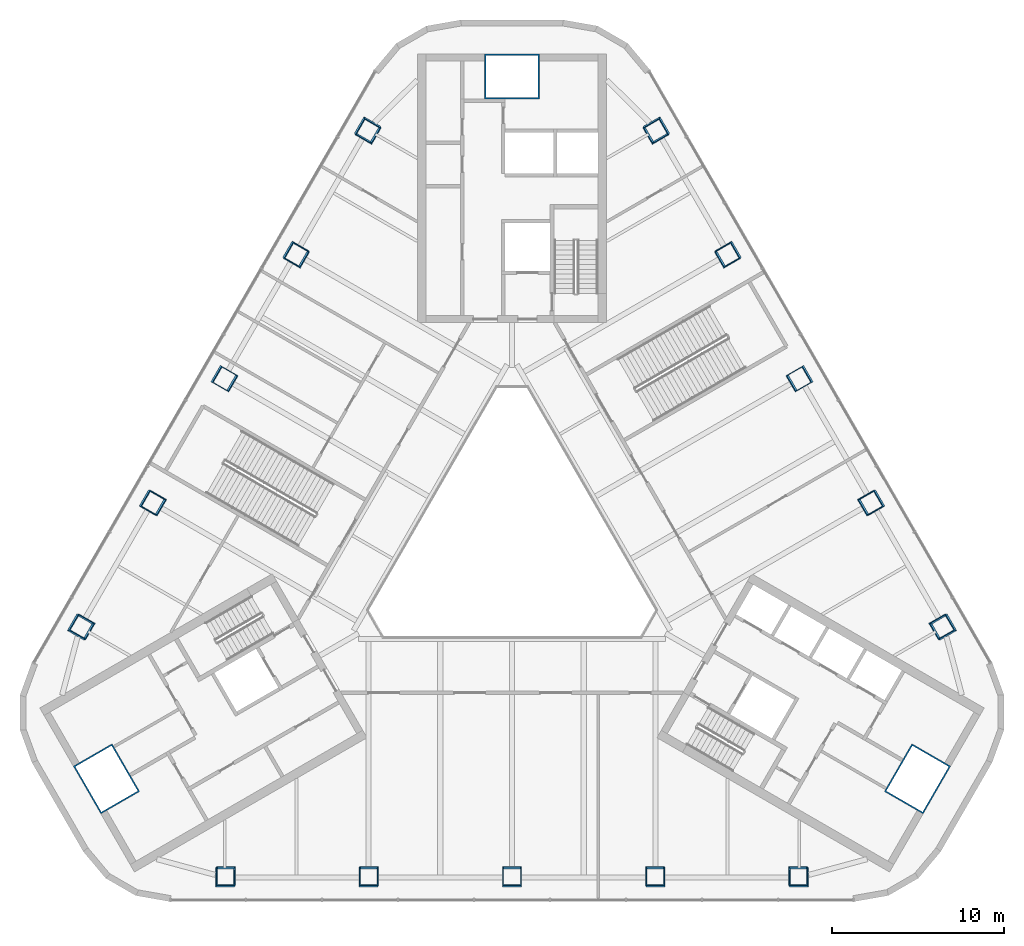
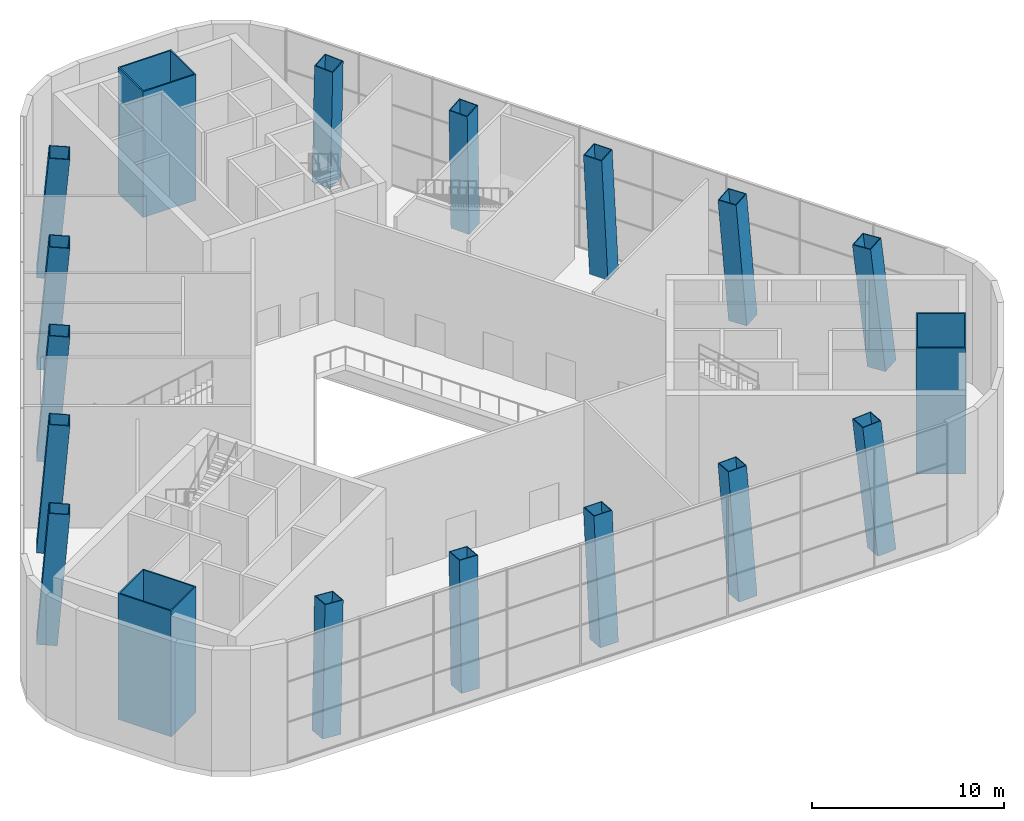
# One storey, part 1 of 16: 18 columns.
"""IFC4 building model written with IfcOpenShell, lengths in metres."""

from ifc_helpers import new_model, si_unit, direction, frame, origin, origin_2d, place, context, subcontext, project, spatial, rectangle, hollow_rectangle, extrude, boolean, halfspace, material, material_profile, profile_set, type_object, element, save


model = new_model("IFC4")

# Units and contexts
model_context = context("Model", 3, precision=1e-05, world=origin(), true_north=direction((0.0, 1.0)))
body_context = subcontext(model_context, "Body", "Model", "MODEL_VIEW")
ifc_project = project(units=[si_unit("LENGTHUNIT", "METRE"), si_unit("AREAUNIT", "SQUARE_METRE"), si_unit("VOLUMEUNIT", "CUBIC_METRE"), si_unit("PLANEANGLEUNIT", "RADIAN"), si_unit("MASSUNIT", "GRAM", prefix="KILO")], contexts=[model_context])

# Site, building, storey
site_placement = place(None, origin())
site = spatial("IfcSite", under=ifc_project, at=site_placement, CompositionType="ELEMENT")
building_placement = place(site_placement, origin())
building = spatial("IfcBuilding", under=site, at=building_placement, Name="Apuvela Tower Hotel", CompositionType="ELEMENT")
storey_placement = place(building_placement, frame((0.0, 0.0, 15.5)))
storey = spatial("IfcBuildingStorey", under=building, at=storey_placement, Name="L02", CompositionType="ELEMENT", Elevation=15.5)

# Columns
ifc_material_1 = material(Name="Steel S460", Category="steel")
ifc_material_profile_1 = material_profile(ifc_material_1, hollow_rectangle(XDim=3.199951171875, YDim=2.60009765625, WallThickness=0.080078125, at=origin_2d()), Name="BOX 3200x2600x80")
ifc_material_2 = material(Name="Concrete C80/95", Category="concrete")
ifc_material_profile_2 = material_profile(ifc_material_2, rectangle(XDim=3.0400390625, YDim=2.43994140625, at=origin_2d()), Name="Concrete C80/95 infill")
ifc_profile_set_1 = profile_set([ifc_material_profile_1, ifc_material_profile_2], Name="Steel S460")
column_type_1 = type_object("IfcColumnType", Name="STR-MC mega column BOX 3200x2600x80", PredefinedType="COLUMN", material=ifc_profile_set_1)
for number, where, z_axis, x_axis, name in (
    (1, (0.0, 27.199951171875, 0.0), (0.0, 0.0, 1.0), (1.0, 0.0, 0.0), "Mega column MC1 N"),
    (2, (-23.555908203125, -13.60009765625, 0.0), (0.0, 0.0, 1.0), (-0.5, 0.866025403784, 0.0), "Mega column MC1 SW"),
    (3, (23.555908203125, -13.60009765625, 0.0), (0.0, 0.0, 1.0), (0.5, 0.866025403784, 0.0), "Mega column MC1 SE"),
):
    element("IfcColumn", number, at=place(storey_placement, frame(where, z_axis=z_axis, x_axis=x_axis)), inside=storey, type_object=column_type_1, Name=name, PredefinedType="COLUMN", context=body_context, shape_type="SweptSolid", body=[
        extrude(hollow_rectangle(XDim=3.199951171875, YDim=2.60009765625, WallThickness=0.080078125, at=origin_2d()), origin(), (0.0, 0.0, 1.0), 8.0),
    ])
ifc_material_profile_3 = material_profile(ifc_material_1, hollow_rectangle(XDim=1.10009765625, YDim=1.10009765625, WallThickness=0.050048828125, at=origin_2d()), Name="BOX 1100x1100x50")
ifc_material_profile_4 = material_profile(ifc_material_2, rectangle(XDim=1.0, YDim=1.0, at=origin_2d()), Name="Concrete C80/95 infill")
ifc_profile_set_2 = profile_set([ifc_material_profile_3, ifc_material_profile_4], Name="Steel S460")
column_type_2 = type_object("IfcColumnType", Name="STR-PC perimeter column BOX 1100x1100x50", PredefinedType="COLUMN", material=ifc_profile_set_2)
column_1_placement = place(storey_placement, frame((-16.6865234375, -19.331298828125, 0.0), z_axis=(0.065586843332, 0.081460012727, 0.994516280565), x_axis=(-0.997843721285, 0.00285242012, 0.065572643619)))
element("IfcColumn", 4, at=column_1_placement, inside=storey, type_object=column_type_2, Name="Perimeter column C1 S1", PredefinedType="COLUMN", context=body_context, shape_type="SweptSolid", body=[
    boolean("DIFFERENCE", boolean("DIFFERENCE", extrude(hollow_rectangle(XDim=1.10009765625, YDim=1.10009765625, WallThickness=0.050048828125, at=origin_2d()), origin(), (0.0, 0.0, 1.0), 8.044189453125), halfspace(frame((0.0, 0.0, 0.018310546875), z_axis=(0.0, 0.0, 1.0), x_axis=(1.0, 0.0, 0.0)), True)), halfspace(frame((0.0, 0.0, 8.02734375), z_axis=(0.0, 0.0, 1.0), x_axis=(1.0, 0.0, 0.0)), False)),
])
column_2_placement = place(storey_placement, frame((-8.34326171875, -19.331298828125, 0.0), z_axis=(0.032831266232, 0.08159177645, 0.99612493693), x_axis=(-0.999460056014, 0.001378336483, 0.032828289959)))
element("IfcColumn", 5, at=column_2_placement, inside=storey, type_object=column_type_2, Name="Perimeter column C1 S2", PredefinedType="COLUMN", context=body_context, shape_type="SweptSolid", body=[
    boolean("DIFFERENCE", boolean("DIFFERENCE", extrude(hollow_rectangle(XDim=1.10009765625, YDim=1.10009765625, WallThickness=0.050048828125, at=origin_2d()), origin(), (0.0, 0.0, 1.0), 8.031005859375), halfspace(frame((0.0, 0.0, 0.015625), z_axis=(0.0, 0.0, 1.0), x_axis=(1.0, 0.0, 0.0)), True)), halfspace(frame((0.0, 0.0, 8.016845703125), z_axis=(0.0, 0.0, 1.0), x_axis=(1.0, 0.0, 0.0)), False)),
])
column_3_placement = place(storey_placement, frame((0.0, -19.331298828125, 0.0), z_axis=(0.0, 0.081635785594, 0.996662228897), x_axis=(-1.0, 0.0, 0.0)))
element("IfcColumn", 6, at=column_3_placement, inside=storey, type_object=column_type_2, Name="Perimeter column C1 S3", PredefinedType="COLUMN", context=body_context, shape_type="SweptSolid", body=[
    boolean("DIFFERENCE", boolean("DIFFERENCE", extrude(hollow_rectangle(XDim=1.10009765625, YDim=1.10009765625, WallThickness=0.050048828125, at=origin_2d()), origin(), (0.0, 0.0, 1.0), 8.02685546875), halfspace(frame((0.0, 0.0, 0.0146484375), z_axis=(0.0, 0.0, 1.0), x_axis=(1.0, 0.0, 0.0)), True)), halfspace(frame((0.0, 0.0, 8.01318359375), z_axis=(0.0, 0.0, 1.0), x_axis=(1.0, 0.0, 0.0)), False)),
])
column_4_placement = place(storey_placement, frame((8.34326171875, -19.331298828125, 0.0), z_axis=(-0.032831266232, 0.08159177645, 0.99612493693), x_axis=(0.999460056014, 0.001378336483, 0.032828289959)))
element("IfcColumn", 7, at=column_4_placement, inside=storey, type_object=column_type_2, Name="Perimeter column C1 S4", PredefinedType="COLUMN", context=body_context, shape_type="SweptSolid", body=[
    boolean("DIFFERENCE", boolean("DIFFERENCE", extrude(hollow_rectangle(XDim=1.10009765625, YDim=1.10009765625, WallThickness=0.050048828125, at=origin_2d()), origin(), (0.0, 0.0, 1.0), 8.031005859375), halfspace(frame((0.0, 0.0, 0.015625), z_axis=(0.0, 0.0, 1.0), x_axis=(1.0, 0.0, 0.0)), True)), halfspace(frame((0.0, 0.0, 8.016845703125), z_axis=(0.0, 0.0, 1.0), x_axis=(1.0, 0.0, 0.0)), False)),
])
for number, where, z_axis, x_axis, name in (
    (8, (16.6865234375, -19.331298828125, 0.0), (-0.065586843332, 0.081460012727, 0.994516280565), (0.997843721285, 0.00285242012, 0.065572643619), "Perimeter column C1 S5"),
    (9, (25.084716796875, -4.78515625, 0.0), (-0.103342523087, 0.016055270107, 0.994516239799), (0.496544233253, -0.865531278417, 0.06557004274), "Perimeter column C1 NE1"),
):
    element("IfcColumn", number, at=place(storey_placement, frame(where, z_axis=z_axis, x_axis=x_axis)), inside=storey, type_object=column_type_2, Name=name, PredefinedType="COLUMN", context=body_context, shape_type="SweptSolid", body=[
        boolean("DIFFERENCE", boolean("DIFFERENCE", extrude(hollow_rectangle(XDim=1.10009765625, YDim=1.10009765625, WallThickness=0.050048828125, at=origin_2d()), origin(), (0.0, 0.0, 1.0), 8.044189453125), halfspace(frame((0.0, 0.0, 0.018310546875), z_axis=(0.0, 0.0, 1.0), x_axis=(1.0, 0.0, 0.0)), True)), halfspace(frame((0.0, 0.0, 8.02734375), z_axis=(0.0, 0.0, 1.0), x_axis=(1.0, 0.0, 0.0)), False)),
    ])
column_5_placement = place(storey_placement, frame((20.9130859375, 2.440185546875, 0.0), z_axis=(-0.087093940596, -0.012342108161, 0.996123645878), x_axis=(0.498471453495, -0.866283513655, 0.032849414298)))
element("IfcColumn", 10, at=column_5_placement, inside=storey, type_object=column_type_2, Name="Perimeter column C1 NE2", PredefinedType="COLUMN", context=body_context, shape_type="SweptSolid", body=[
    boolean("DIFFERENCE", boolean("DIFFERENCE", extrude(hollow_rectangle(XDim=1.10009765625, YDim=1.10009765625, WallThickness=0.050048828125, at=origin_2d()), origin(), (0.0, 0.0, 1.0), 8.03125), halfspace(frame((0.0, 0.0, 0.015625), z_axis=(0.0, 0.0, 1.0), x_axis=(1.0, 0.0, 0.0)), True)), halfspace(frame((0.0, 0.0, 8.016845703125), z_axis=(0.0, 0.0, 1.0), x_axis=(1.0, 0.0, 0.0)), False)),
])
column_6_placement = place(storey_placement, frame((16.741455078125, 9.665771484375, 0.0), z_axis=(-0.070716365811, -0.040848206144, 0.996659731133), x_axis=(0.500184519903, -0.865918844956, 0.0)))
element("IfcColumn", 11, at=column_6_placement, inside=storey, type_object=column_type_2, Name="Perimeter column C1 NE3", PredefinedType="COLUMN", context=body_context, shape_type="SweptSolid", body=[
    boolean("DIFFERENCE", boolean("DIFFERENCE", extrude(hollow_rectangle(XDim=1.10009765625, YDim=1.10009765625, WallThickness=0.050048828125, at=origin_2d()), origin(), (0.0, 0.0, 1.0), 8.02685546875), halfspace(frame((0.0, 0.0, 0.0146484375), z_axis=(0.0, 0.0, 1.0), x_axis=(1.0, 0.0, 0.0)), True)), halfspace(frame((0.0, 0.0, 8.013427734375), z_axis=(0.0, 0.0, 1.0), x_axis=(1.0, 0.0, 0.0)), False)),
])
column_7_placement = place(storey_placement, frame((12.56982421875, 16.89111328125, 0.0), z_axis=(-0.054232459867, -0.069219344797, 0.996126258364), x_axis=(-0.500873253526, 0.864897735693, 0.032831245724)))
element("IfcColumn", 12, at=column_7_placement, inside=storey, type_object=column_type_2, Name="Perimeter column C1 NE4", PredefinedType="COLUMN", context=body_context, shape_type="SweptSolid", body=[
    boolean("DIFFERENCE", boolean("DIFFERENCE", extrude(hollow_rectangle(XDim=1.10009765625, YDim=1.10009765625, WallThickness=0.050048828125, at=origin_2d()), origin(), (0.0, 0.0, 1.0), 8.031005859375), halfspace(frame((0.0, 0.0, 0.015625), z_axis=(0.0, 0.0, 1.0), x_axis=(1.0, 0.0, 0.0)), True)), halfspace(frame((0.0, 0.0, 8.016845703125), z_axis=(0.0, 0.0, 1.0), x_axis=(1.0, 0.0, 0.0)), False)),
])
for number, where, z_axis, x_axis, name in (
    (13, (8.398193359375, 24.11669921875, 0.0), (-0.037755622173, -0.097545474007, 0.994514652227), (-0.501388733387, 0.862732820809, 0.065585195976), "Perimeter column C1 NE5"),
    (14, (-8.398193359375, 24.11669921875, 0.0), (0.037755622173, -0.097545474007, 0.994514652227), (0.501388733387, 0.862732820809, 0.065585195976), "Perimeter column C1 NW1"),
):
    element("IfcColumn", number, at=place(storey_placement, frame(where, z_axis=z_axis, x_axis=x_axis)), inside=storey, type_object=column_type_2, Name=name, PredefinedType="COLUMN", context=body_context, shape_type="SweptSolid", body=[
        boolean("DIFFERENCE", boolean("DIFFERENCE", extrude(hollow_rectangle(XDim=1.10009765625, YDim=1.10009765625, WallThickness=0.050048828125, at=origin_2d()), origin(), (0.0, 0.0, 1.0), 8.044189453125), halfspace(frame((0.0, 0.0, 0.018310546875), z_axis=(0.0, 0.0, 1.0), x_axis=(1.0, 0.0, 0.0)), True)), halfspace(frame((0.0, 0.0, 8.02734375), z_axis=(0.0, 0.0, 1.0), x_axis=(1.0, 0.0, 0.0)), False)),
    ])
column_8_placement = place(storey_placement, frame((-12.56982421875, 16.89111328125, 0.0), z_axis=(0.054232459867, -0.069219344797, 0.996126258364), x_axis=(0.500873253526, 0.864897735693, 0.032831245724)))
element("IfcColumn", 15, at=column_8_placement, inside=storey, type_object=column_type_2, Name="Perimeter column C1 NW2", PredefinedType="COLUMN", context=body_context, shape_type="SweptSolid", body=[
    boolean("DIFFERENCE", boolean("DIFFERENCE", extrude(hollow_rectangle(XDim=1.10009765625, YDim=1.10009765625, WallThickness=0.050048828125, at=origin_2d()), origin(), (0.0, 0.0, 1.0), 8.031005859375), halfspace(frame((0.0, 0.0, 0.015625), z_axis=(0.0, 0.0, 1.0), x_axis=(1.0, 0.0, 0.0)), True)), halfspace(frame((0.0, 0.0, 8.016845703125), z_axis=(0.0, 0.0, 1.0), x_axis=(1.0, 0.0, 0.0)), False)),
])
column_9_placement = place(storey_placement, frame((-16.741455078125, 9.665771484375, 0.0), z_axis=(0.070716365811, -0.040848206144, 0.996659731133), x_axis=(-0.500184519903, -0.865918844956, 0.0)))
element("IfcColumn", 16, at=column_9_placement, inside=storey, type_object=column_type_2, Name="Perimeter column C1 NW3", PredefinedType="COLUMN", context=body_context, shape_type="SweptSolid", body=[
    boolean("DIFFERENCE", boolean("DIFFERENCE", extrude(hollow_rectangle(XDim=1.10009765625, YDim=1.10009765625, WallThickness=0.050048828125, at=origin_2d()), origin(), (0.0, 0.0, 1.0), 8.02685546875), halfspace(frame((0.0, 0.0, 0.0146484375), z_axis=(0.0, 0.0, 1.0), x_axis=(1.0, 0.0, 0.0)), True)), halfspace(frame((0.0, 0.0, 8.013427734375), z_axis=(0.0, 0.0, 1.0), x_axis=(1.0, 0.0, 0.0)), False)),
])
column_10_placement = place(storey_placement, frame((-20.9130859375, 2.440185546875, 0.0), z_axis=(0.087093940596, -0.012342108161, 0.996123645878), x_axis=(-0.498471453495, -0.866283513655, 0.032849414298)))
element("IfcColumn", 17, at=column_10_placement, inside=storey, type_object=column_type_2, Name="Perimeter column C1 NW4", PredefinedType="COLUMN", context=body_context, shape_type="SweptSolid", body=[
    boolean("DIFFERENCE", boolean("DIFFERENCE", extrude(hollow_rectangle(XDim=1.10009765625, YDim=1.10009765625, WallThickness=0.050048828125, at=origin_2d()), origin(), (0.0, 0.0, 1.0), 8.03125), halfspace(frame((0.0, 0.0, 0.015625), z_axis=(0.0, 0.0, 1.0), x_axis=(1.0, 0.0, 0.0)), True)), halfspace(frame((0.0, 0.0, 8.016845703125), z_axis=(0.0, 0.0, 1.0), x_axis=(1.0, 0.0, 0.0)), False)),
])
column_11_placement = place(storey_placement, frame((-25.084716796875, -4.78515625, 0.0), z_axis=(0.103342523087, 0.016055270107, 0.994516239799), x_axis=(-0.496544233253, -0.865531278417, 0.06557004274)))
element("IfcColumn", 18, at=column_11_placement, inside=storey, type_object=column_type_2, Name="Perimeter column C1 NW5", PredefinedType="COLUMN", context=body_context, shape_type="SweptSolid", body=[
    boolean("DIFFERENCE", boolean("DIFFERENCE", extrude(hollow_rectangle(XDim=1.10009765625, YDim=1.10009765625, WallThickness=0.050048828125, at=origin_2d()), origin(), (0.0, 0.0, 1.0), 8.044189453125), halfspace(frame((0.0, 0.0, 0.018310546875), z_axis=(0.0, 0.0, 1.0), x_axis=(1.0, 0.0, 0.0)), True)), halfspace(frame((0.0, 0.0, 8.02734375), z_axis=(0.0, 0.0, 1.0), x_axis=(1.0, 0.0, 0.0)), False)),
])

save(model, "model.ifc")
